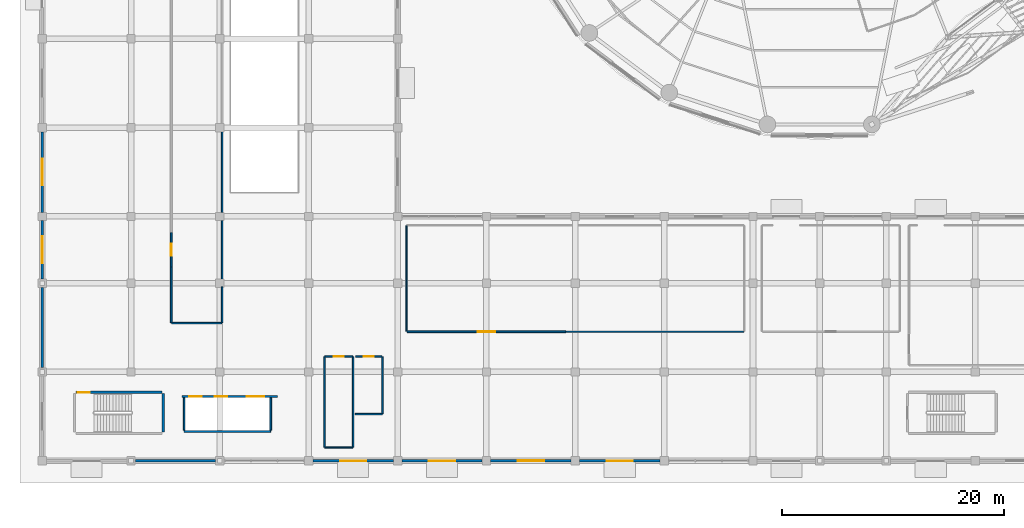
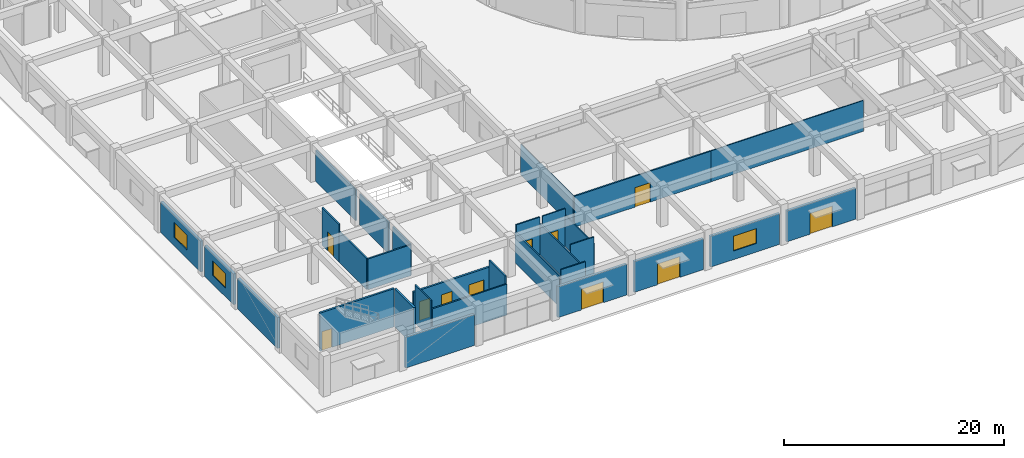
# One storey, part 26 of 40: 30 walls, 11 doors, 3 windows, 14 openings.
"""IFC4 building model written with IfcOpenShell, lengths in metres."""

from ifc_helpers import new_model, si_unit, direction, frame, frame_2d, origin, place, context, subcontext, project, spatial, rectangle, extrude, material, layer, layer_set, type_object, element, fill, save


model = new_model("IFC4")

# Units and contexts
model_context = context("Model", 3, precision=1e-05, world=origin(), true_north=direction((0.0, 1.0)))
body_context = subcontext(model_context, "Body", "Model", "MODEL_VIEW")
ifc_project = project(units=[si_unit("LENGTHUNIT", "METRE"), si_unit("AREAUNIT", "SQUARE_METRE"), si_unit("VOLUMEUNIT", "CUBIC_METRE"), si_unit("PLANEANGLEUNIT", "RADIAN"), si_unit("MASSUNIT", "GRAM", prefix="KILO")], contexts=[model_context])

# Site, building, storey
site_placement = place(None, origin())
site = spatial("IfcSite", under=ifc_project, at=site_placement, CompositionType="ELEMENT")
building_placement = place(site_placement, origin())
building = spatial("IfcBuilding", under=site, at=building_placement, Name="Kelanora Arch Commons", CompositionType="ELEMENT")
storey_placement = place(building_placement, origin())
storey = spatial("IfcBuildingStorey", under=building, at=storey_placement, Name="L00", CompositionType="ELEMENT", Elevation=0.0)

# Walls
ifc_material_1 = material(Name="Autoclaved aerated concrete blockwork with fire plaster", Category="masonry")
ifc_layer_1 = layer(ifc_material_1, 0.14990234375)
ifc_layer_set_1 = layer_set([ifc_layer_1], Name="Autoclaved aerated concrete blockwork with fire plaster")
wall_type_1 = type_object("IfcWallType", Name="W-COMP-150", PredefinedType="PARTITIONING", material=ifc_layer_set_1)
wall_1_placement = place(storey_placement, frame((16.780029296875, 6.639892578125, 0.0), z_axis=(0.0, 0.0, 1.0), x_axis=(1.0, 0.0, 0.0)))
element("IfcWall", 1, at=wall_1_placement, inside=storey, type_object=wall_type_1, Name="Market South Lift Bank Back Wall L00", PredefinedType="PARTITIONING", context=body_context, shape_type="SweptSolid", body=[
    extrude(rectangle(XDim=7.7900390625, YDim=0.14990234375, at=frame_2d((3.89501953125, 0.0))), origin(), (0.0, 0.0, 1.0), 3.425048828125),
])
for number, where, z_axis, x_axis, name in (
    (2, (16.780029296875, 6.760009765625, 0.0), (0.0, 0.0, 1.0), (0.0, 1.0, 0.0), "Market South Lift Bank West Wall L00"),
    (3, (24.570068359375, 6.760009765625, 0.0), (0.0, 0.0, 1.0), (0.0, 1.0, 0.0), "Market South Lift Bank East Wall L00"),
):
    element("IfcWall", number, at=place(storey_placement, frame(where, z_axis=z_axis, x_axis=x_axis)), inside=storey, type_object=wall_type_1, Name=name, PredefinedType="PARTITIONING", context=body_context, shape_type="SweptSolid", body=[
        extrude(rectangle(XDim=2.909912109375, YDim=0.14990234375, at=frame_2d((1.455078125, 0.0))), origin(), (0.0, 0.0, 1.0), 4.22998046875),
    ])

# Wall, opening, door
wall_2_placement = place(storey_placement, frame((36.860107421875, 15.6201171875, 0.0), z_axis=(0.0, 0.0, 1.0), x_axis=(1.0, 0.0, 0.0)))
wall_2 = element("IfcWall", 4, at=wall_2_placement, inside=storey, type_object=wall_type_1, Name="Main Civic Produce and Spice Market Hall Entry Partition", PredefinedType="PARTITIONING", context=body_context, shape_type="SweptSolid", body=[
    extrude(rectangle(XDim=14.27978515625, YDim=0.14990234375, at=frame_2d((7.139892578125, 0.0))), origin(), (0.0, 0.0, 1.0), 3.425048828125),
])
opening_1_placement = place(wall_2_placement, frame((6.340087890625, 0.0, 0.0)))
opening_1 = element("IfcOpeningElement", 5, at=opening_1_placement, cuts=wall_2, Name="Opening D-MK1", PredefinedType="OPENING", context=body_context, shape_type="SweptSolid", body=[
    extrude(rectangle(XDim=1.60009765625, YDim=2.14990234375, at=frame_2d((0.800048828125, 1.074951171875))), frame((0.0, 0.0849609375, 0.0), z_axis=(0.0, -1.0, 0.0), x_axis=(1.0, 0.0, 0.0)), (0.0, 0.0, 1.0), 0.169921875),
])
ifc_material_2 = material(Name="Glazed timber double market hall fire door", Category="wood")
door_type_1 = type_object("IfcDoorType", Name="D-MKT-160", OperationType="NOTDEFINED", PredefinedType="DOOR", material=ifc_material_2)
door_1_placement = place(opening_1_placement, origin())
door_1 = element("IfcDoor", 6, at=door_1_placement, inside=storey, type_object=door_type_1, Name="Main Civic Produce and Spice Market Hall Door", OperationType="SINGLE_SWING_RIGHT", OverallHeight=2.14990234375, OverallWidth=1.60009765625, PredefinedType="DOOR", context=body_context, shape_type="SweptSolid", body=[
    extrude(rectangle(XDim=1.60009765625, YDim=2.14990234375, at=frame_2d((0.800048828125, 1.074951171875))), frame((0.0, 0.02490234375, 0.0), z_axis=(0.0, -1.0, 0.0), x_axis=(1.0, 0.0, 0.0)), (0.0, 0.0, 1.0), 0.050048828125),
])
fill(opening_1, door_1)

wall_3_placement = place(storey_placement, frame((15.6201171875, 21.4599609375, 0.0), z_axis=(0.0, 0.0, 1.0), x_axis=(0.0, 1.0, 0.0)))
wall_3 = element("IfcWall", 7, at=wall_3_placement, inside=storey, type_object=wall_type_1, Name="Market Cold Storage and Refuse Marshalling Entry Partition", PredefinedType="PARTITIONING", context=body_context, shape_type="SweptSolid", body=[
    extrude(rectangle(XDim=3.080078125, YDim=0.14990234375, at=frame_2d((1.5400390625, 0.0))), origin(), (0.0, 0.0, 1.0), 4.18994140625),
])
opening_2_placement = place(wall_3_placement, frame((1.0, 0.0, 0.0)))
opening_2 = element("IfcOpeningElement", 8, at=opening_2_placement, cuts=wall_3, Name="Opening D-PLT1", PredefinedType="OPENING", context=body_context, shape_type="SweptSolid", body=[
    extrude(rectangle(XDim=1.080078125, YDim=2.10009765625, at=frame_2d((0.5400390625, 1.050048828125))), frame((0.0, 0.0849609375, 0.0), z_axis=(0.0, -1.0, 0.0), x_axis=(1.0, 0.0, 0.0)), (0.0, 0.0, 1.0), 0.169921875),
])
ifc_material_3 = material(Name="Galvanised steel plant and riser fire door", Category="steel")
door_type_2 = type_object("IfcDoorType", Name="D-PLT-110", OperationType="NOTDEFINED", PredefinedType="DOOR", material=ifc_material_3)
door_2_placement = place(opening_2_placement, origin())
door_2 = element("IfcDoor", 9, at=door_2_placement, inside=storey, type_object=door_type_2, Name="Market Cold Storage and Refuse Marshalling Door", OperationType="SINGLE_SWING_LEFT", OverallHeight=2.10009765625, OverallWidth=1.080078125, PredefinedType="DOOR", context=body_context, shape_type="SweptSolid", body=[
    extrude(rectangle(XDim=1.080078125, YDim=2.10009765625, at=frame_2d((0.5400390625, 1.050048828125))), frame((0.0, 0.02490234375, 0.0), z_axis=(0.0, -1.0, 0.0), x_axis=(1.0, 0.0, 0.0)), (0.0, 0.0, 1.0), 0.050048828125),
])
fill(opening_2, door_2)

# Walls
wall_4_placement = place(storey_placement, frame((15.659912109375, 16.39990234375, 0.0), z_axis=(0.0, 0.0, 1.0), x_axis=(1.0, 0.0, 0.0)))
element("IfcWall", 10, at=wall_4_placement, inside=storey, type_object=wall_type_1, Name="Market Cold Storage and Refuse Marshalling Enclosure Partition 1", PredefinedType="PARTITIONING", context=body_context, shape_type="SweptSolid", body=[
    extrude(rectangle(XDim=4.5, YDim=0.14990234375, at=frame_2d((2.25, 0.0))), origin(), (0.0, 0.0, 1.0), 3.425048828125),
])
wall_5_placement = place(storey_placement, frame((20.199951171875, 16.43994140625, 0.0), z_axis=(0.0, 0.0, 1.0), x_axis=(0.0, 1.0, 0.0)))
element("IfcWall", 11, at=wall_5_placement, inside=storey, type_object=wall_type_1, Name="Market Cold Storage and Refuse Marshalling Enclosure Partition 2", PredefinedType="PARTITIONING", context=body_context, shape_type="SweptSolid", body=[
    extrude(rectangle(XDim=3.213623046875, YDim=0.14990234375, at=frame_2d((1.60693359375, 0.0))), origin(), (0.0, 0.0, 1.0), 3.425048828125),
])
wall_6_placement = place(storey_placement, frame((20.199951171875, 20.346435546875, 0.0), z_axis=(0.0, 0.0, 1.0), x_axis=(0.0, 1.0, 0.0)))
element("IfcWall", 12, at=wall_6_placement, inside=storey, type_object=wall_type_1, Name="Market Cold Storage and Refuse Marshalling Enclosure Partition 2", PredefinedType="PARTITIONING", context=body_context, shape_type="SweptSolid", body=[
    extrude(rectangle(XDim=5.30712890625, YDim=0.14990234375, at=frame_2d((2.653564453125, 0.0))), origin(), (0.0, 0.0, 1.0), 3.425048828125),
])
wall_7_placement = place(storey_placement, frame((20.199951171875, 26.346435546875, 0.0), z_axis=(0.0, 0.0, 1.0), x_axis=(0.0, 1.0, 0.0)))
element("IfcWall", 13, at=wall_7_placement, inside=storey, type_object=wall_type_1, Name="Market Cold Storage and Refuse Marshalling Enclosure Partition 2", PredefinedType="PARTITIONING", context=body_context, shape_type="SweptSolid", body=[
    extrude(rectangle(XDim=7.30712890625, YDim=0.14990234375, at=frame_2d((3.653564453125, 0.0))), origin(), (0.0, 0.0, 1.0), 3.425048828125),
])
wall_8_placement = place(storey_placement, frame((15.6201171875, 21.4599609375, 0.0), z_axis=(0.0, 0.0, 1.0), x_axis=(0.0, -1.0, 0.0)))
element("IfcWall", 14, at=wall_8_placement, inside=storey, type_object=wall_type_1, Name="Market Cold Storage and Refuse Marshalling Enclosure Partition 4", PredefinedType="PARTITIONING", context=body_context, shape_type="SweptSolid", body=[
    extrude(rectangle(XDim=5.02001953125, YDim=0.14990234375, at=frame_2d((2.510009765625, 0.0))), origin(), (0.0, 0.0, 1.0), 3.425048828125),
])
ifc_material_4 = material(Name="Precast concrete C40/50 with terracotta ceramic cladding", Category="masonry")
ifc_layer_2 = layer(ifc_material_4, 0.25)
ifc_layer_set_2 = layer_set([ifc_layer_2], Name="Precast concrete C40/50 with terracotta ceramic cladding")
wall_type_2 = type_object("IfcWallType", Name="W-EXT-MKT", PredefinedType="SOLIDWALL", material=ifc_layer_set_2)
wall_9_placement = place(storey_placement, frame((12.3798828125, 4.0, 0.0), z_axis=(0.0, 0.0, 1.0), x_axis=(1.0, 0.0, 0.0)))
element("IfcWall", 15, at=wall_9_placement, inside=storey, type_object=wall_type_2, Name="Market Hall Exterior Wall L00-01", PredefinedType="SOLIDWALL", context=body_context, shape_type="SweptSolid", body=[
    extrude(rectangle(XDim=7.240234375, YDim=0.25, at=frame_2d((3.6201171875, 0.0))), origin(), (0.0, 0.0, 1.0), 3.419921875),
])

# Wall, opening, door
wall_10_placement = place(storey_placement, frame((28.3798828125, 4.0, 0.0), z_axis=(0.0, 0.0, 1.0), x_axis=(1.0, 0.0, 0.0)))
wall_10 = element("IfcWall", 16, at=wall_10_placement, inside=storey, type_object=wall_type_2, Name="Market Hall Exterior Wall L00-03", PredefinedType="SOLIDWALL", context=body_context, shape_type="SweptSolid", body=[
    extrude(rectangle(XDim=7.240234375, YDim=0.25, at=frame_2d((3.6201171875, 0.0))), origin(), (0.0, 0.0, 1.0), 3.419921875),
])
opening_3_placement = place(wall_10_placement, frame((2.445068359375, 0.0, 0.0)))
opening_3 = element("IfcOpeningElement", 17, at=opening_3_placement, cuts=wall_10, Name="Opening DX-02", PredefinedType="OPENING", context=body_context, shape_type="SweptSolid", body=[
    extrude(rectangle(XDim=2.35009765625, YDim=2.300048828125, at=frame_2d((1.175048828125, 1.14990234375))), frame((0.0, 0.135009765625, 0.0), z_axis=(0.0, -1.0, 0.0), x_axis=(1.0, 0.0, 0.0)), (0.0, 0.0, 1.0), 0.27001953125),
])
ifc_material_5 = material(Name="Powder-coated aluminium glazed double escape door", Category="aluminium")
door_type_3 = type_object("IfcDoorType", Name="D-EXIT-20", OperationType="NOTDEFINED", PredefinedType="DOOR", material=ifc_material_5)
door_3_placement = place(opening_3_placement, frame((2.35009765625, 0.0, 0.0), z_axis=(0.0, 0.0, 1.0), x_axis=(-1.0, 0.0, 0.0)))
door_3 = element("IfcDoor", 18, at=door_3_placement, inside=storey, type_object=door_type_3, Name="Market Hall Pedestrian Exit Door 03", OperationType="DOUBLE_DOOR_SINGLE_SWING", OverallHeight=2.300048828125, OverallWidth=2.35009765625, PredefinedType="DOOR", context=body_context, shape_type="SweptSolid", body=[
    extrude(rectangle(XDim=2.35009765625, YDim=2.300048828125, at=frame_2d((1.175048828125, 1.14990234375))), frame((0.0, 0.02490234375, 0.0), z_axis=(0.0, -1.0, 0.0), x_axis=(1.0, 0.0, 0.0)), (0.0, 0.0, 1.0), 0.050048828125),
])
fill(opening_3, door_3)

wall_11_placement = place(storey_placement, frame((36.3798828125, 4.0, 0.0), z_axis=(0.0, 0.0, 1.0), x_axis=(1.0, 0.0, 0.0)))
wall_11 = element("IfcWall", 19, at=wall_11_placement, inside=storey, type_object=wall_type_2, Name="Market Hall Exterior Wall L00-04", PredefinedType="SOLIDWALL", context=body_context, shape_type="SweptSolid", body=[
    extrude(rectangle(XDim=7.240234375, YDim=0.25, at=frame_2d((3.6201171875, 0.0))), origin(), (0.0, 0.0, 1.0), 3.419921875),
])
opening_4_placement = place(wall_11_placement, frame((2.445068359375, 0.0, 0.0)))
opening_4 = element("IfcOpeningElement", 20, at=opening_4_placement, cuts=wall_11, Name="Opening DX-02", PredefinedType="OPENING", context=body_context, shape_type="SweptSolid", body=[
    extrude(rectangle(XDim=2.35009765625, YDim=2.300048828125, at=frame_2d((1.175048828125, 1.14990234375))), frame((0.0, 0.135009765625, 0.0), z_axis=(0.0, -1.0, 0.0), x_axis=(1.0, 0.0, 0.0)), (0.0, 0.0, 1.0), 0.27001953125),
])
door_4_placement = place(opening_4_placement, frame((2.35009765625, 0.0, 0.0), z_axis=(0.0, 0.0, 1.0), x_axis=(-1.0, 0.0, 0.0)))
door_4 = element("IfcDoor", 21, at=door_4_placement, inside=storey, type_object=door_type_3, Name="Market Hall Pedestrian Exit Door 04", OperationType="DOUBLE_DOOR_SINGLE_SWING", OverallHeight=2.300048828125, OverallWidth=2.35009765625, PredefinedType="DOOR", context=body_context, shape_type="SweptSolid", body=[
    extrude(rectangle(XDim=2.35009765625, YDim=2.300048828125, at=frame_2d((1.175048828125, 1.14990234375))), frame((0.0, 0.02490234375, 0.0), z_axis=(0.0, -1.0, 0.0), x_axis=(1.0, 0.0, 0.0)), (0.0, 0.0, 1.0), 0.050048828125),
])
fill(opening_4, door_4)

# Wall, opening, window
wall_12_placement = place(storey_placement, frame((44.3798828125, 4.0, 0.0), z_axis=(0.0, 0.0, 1.0), x_axis=(1.0, 0.0, 0.0)))
wall_12 = element("IfcWall", 22, at=wall_12_placement, inside=storey, type_object=wall_type_2, Name="Market Hall Exterior Wall L00-05", PredefinedType="SOLIDWALL", context=body_context, shape_type="SweptSolid", body=[
    extrude(rectangle(XDim=7.240234375, YDim=0.25, at=frame_2d((3.6201171875, 0.0))), origin(), (0.0, 0.0, 1.0), 3.419921875),
])
opening_5_placement = place(wall_12_placement, frame((2.419921875, 0.0, 0.949951171875)))
opening_5 = element("IfcOpeningElement", 23, at=opening_5_placement, cuts=wall_12, Name="Opening WN-03", PredefinedType="OPENING", context=body_context, shape_type="SweptSolid", body=[
    extrude(rectangle(XDim=2.39990234375, YDim=1.64990234375, at=frame_2d((1.199951171875, 0.824951171875))), frame((0.0, 0.135009765625, 0.0), z_axis=(0.0, -1.0, 0.0), x_axis=(1.0, 0.0, 0.0)), (0.0, 0.0, 1.0), 0.27001953125),
])
ifc_material_6 = material(Name="Bronze-terracotta aluminium monsoon clerestory window", Category="masonry")
window_type = type_object("IfcWindowType", Name="WIN-MKT-24", PartitioningType="TRIPLE_PANEL_VERTICAL", PredefinedType="WINDOW", material=ifc_material_6)
window_1_placement = place(opening_5_placement, origin())
window_1 = element("IfcWindow", 24, at=window_1_placement, inside=storey, type_object=window_type, Name="Market Hall Clerestory Window L00-05", OverallHeight=1.64990234375, OverallWidth=2.39990234375, PartitioningType="SINGLE_PANEL", PredefinedType="WINDOW", context=body_context, shape_type="SweptSolid", body=[
    extrude(rectangle(XDim=2.39990234375, YDim=1.64990234375, at=frame_2d((1.199951171875, 0.824951171875))), frame((0.0, 0.030029296875, 0.0), z_axis=(0.0, -1.0, 0.0), x_axis=(1.0, 0.0, 0.0)), (0.0, 0.0, 1.0), 0.06005859375),
])
fill(opening_5, window_1)

# Wall, opening, door
wall_13_placement = place(storey_placement, frame((52.3798828125, 4.0, 0.0), z_axis=(0.0, 0.0, 1.0), x_axis=(1.0, 0.0, 0.0)))
wall_13 = element("IfcWall", 25, at=wall_13_placement, inside=storey, type_object=wall_type_2, Name="Market Hall Exterior Wall L00-06", PredefinedType="SOLIDWALL", context=body_context, shape_type="SweptSolid", body=[
    extrude(rectangle(XDim=7.240234375, YDim=0.25, at=frame_2d((3.6201171875, 0.0))), origin(), (0.0, 0.0, 1.0), 3.419921875),
])
opening_6_placement = place(wall_13_placement, frame((2.445068359375, 0.0, 0.0)))
opening_6 = element("IfcOpeningElement", 26, at=opening_6_placement, cuts=wall_13, Name="Opening DX-02", PredefinedType="OPENING", context=body_context, shape_type="SweptSolid", body=[
    extrude(rectangle(XDim=2.35009765625, YDim=2.300048828125, at=frame_2d((1.175048828125, 1.14990234375))), frame((0.0, 0.135009765625, 0.0), z_axis=(0.0, -1.0, 0.0), x_axis=(1.0, 0.0, 0.0)), (0.0, 0.0, 1.0), 0.27001953125),
])
door_5_placement = place(opening_6_placement, frame((2.35009765625, 0.0, 0.0), z_axis=(0.0, 0.0, 1.0), x_axis=(-1.0, 0.0, 0.0)))
door_5 = element("IfcDoor", 27, at=door_5_placement, inside=storey, type_object=door_type_3, Name="Market Hall Pedestrian Exit Door 06", OperationType="DOUBLE_DOOR_SINGLE_SWING", OverallHeight=2.300048828125, OverallWidth=2.35009765625, PredefinedType="DOOR", context=body_context, shape_type="SweptSolid", body=[
    extrude(rectangle(XDim=2.35009765625, YDim=2.300048828125, at=frame_2d((1.175048828125, 1.14990234375))), frame((0.0, 0.02490234375, 0.0), z_axis=(0.0, -1.0, 0.0), x_axis=(1.0, 0.0, 0.0)), (0.0, 0.0, 1.0), 0.050048828125),
])
fill(opening_6, door_5)

# Wall, opening, window
wall_14_placement = place(storey_placement, frame((4.0, 33.6201171875, 0.0), z_axis=(0.0, 0.0, 1.0), x_axis=(0.0, -1.0, 0.0)))
wall_14 = element("IfcWall", 28, at=wall_14_placement, inside=storey, type_object=wall_type_2, Name="Market Hall Exterior Wall L00-40", PredefinedType="SOLIDWALL", context=body_context, shape_type="SweptSolid", body=[
    extrude(rectangle(XDim=7.240234375, YDim=0.25, at=frame_2d((3.6201171875, 0.0))), origin(), (0.0, 0.0, 1.0), 3.419921875),
])
opening_7_placement = place(wall_14_placement, frame((2.419921875, 0.0, 0.949951171875)))
opening_7 = element("IfcOpeningElement", 29, at=opening_7_placement, cuts=wall_14, Name="Opening WN-03", PredefinedType="OPENING", context=body_context, shape_type="SweptSolid", body=[
    extrude(rectangle(XDim=2.39990234375, YDim=1.64990234375, at=frame_2d((1.199951171875, 0.824951171875))), frame((0.0, 0.135009765625, 0.0), z_axis=(0.0, -1.0, 0.0), x_axis=(1.0, 0.0, 0.0)), (0.0, 0.0, 1.0), 0.27001953125),
])
window_2_placement = place(opening_7_placement, origin())
window_2 = element("IfcWindow", 30, at=window_2_placement, inside=storey, type_object=window_type, Name="Market Hall Clerestory Window L00-40", OverallHeight=1.64990234375, OverallWidth=2.39990234375, PartitioningType="SINGLE_PANEL", PredefinedType="WINDOW", context=body_context, shape_type="SweptSolid", body=[
    extrude(rectangle(XDim=2.39990234375, YDim=1.64990234375, at=frame_2d((1.199951171875, 0.824951171875))), frame((0.0, 0.030029296875, 0.0), z_axis=(0.0, -1.0, 0.0), x_axis=(1.0, 0.0, 0.0)), (0.0, 0.0, 1.0), 0.06005859375),
])
fill(opening_7, window_2)

wall_15_placement = place(storey_placement, frame((4.0, 25.6201171875, 0.0), z_axis=(0.0, 0.0, 1.0), x_axis=(0.0, -1.0, 0.0)))
wall_15 = element("IfcWall", 31, at=wall_15_placement, inside=storey, type_object=wall_type_2, Name="Market Hall Exterior Wall L00-41", PredefinedType="SOLIDWALL", context=body_context, shape_type="SweptSolid", body=[
    extrude(rectangle(XDim=5.240234375, YDim=0.25, at=frame_2d((2.6201171875, 0.0))), origin(), (0.0, 0.0, 1.0), 3.419921875),
])
opening_8_placement = place(wall_15_placement, frame((1.419921875, 0.0, 0.949951171875)))
opening_8 = element("IfcOpeningElement", 32, at=opening_8_placement, cuts=wall_15, Name="Opening WN-03", PredefinedType="OPENING", context=body_context, shape_type="SweptSolid", body=[
    extrude(rectangle(XDim=2.39990234375, YDim=1.64990234375, at=frame_2d((1.199951171875, 0.824951171875))), frame((0.0, 0.135009765625, 0.0), z_axis=(0.0, -1.0, 0.0), x_axis=(1.0, 0.0, 0.0)), (0.0, 0.0, 1.0), 0.27001953125),
])
window_3_placement = place(opening_8_placement, origin())
window_3 = element("IfcWindow", 33, at=window_3_placement, inside=storey, type_object=window_type, Name="Market Hall Clerestory Window L00-41", OverallHeight=1.64990234375, OverallWidth=2.39990234375, PartitioningType="SINGLE_PANEL", PredefinedType="WINDOW", context=body_context, shape_type="SweptSolid", body=[
    extrude(rectangle(XDim=2.39990234375, YDim=1.64990234375, at=frame_2d((1.199951171875, 0.824951171875))), frame((0.0, 0.030029296875, 0.0), z_axis=(0.0, -1.0, 0.0), x_axis=(1.0, 0.0, 0.0)), (0.0, 0.0, 1.0), 0.06005859375),
])
fill(opening_8, window_3)

# Wall
wall_16_placement = place(storey_placement, frame((4.0, 19.6201171875, 0.0), z_axis=(0.0, 0.0, 1.0), x_axis=(0.0, -1.0, 0.0)))
element("IfcWall", 34, at=wall_16_placement, inside=storey, type_object=wall_type_2, Name="Market Hall Exterior Wall L00-42", PredefinedType="SOLIDWALL", context=body_context, shape_type="SweptSolid", body=[
    extrude(rectangle(XDim=7.240234375, YDim=0.25, at=frame_2d((3.6201171875, 0.0))), origin(), (0.0, 0.0, 1.0), 3.419921875),
])

# Wall, openings, doors
ifc_material_7 = material(Name="Concrete C40/50", Category="concrete")
ifc_layer_3 = layer(ifc_material_7, 0.199951171875)
ifc_layer_set_3 = layer_set([ifc_layer_3], Name="Concrete C40/50")
wall_type_3 = type_object("IfcWallType", Name="W-FFL-200", PredefinedType="SOLIDWALL", material=ifc_layer_set_3)
wall_17_placement = place(storey_placement, frame((16.60009765625, 9.800048828125, 0.0), z_axis=(0.0, 0.0, 1.0), x_axis=(1.0, 0.0, 0.0)))
wall_17 = element("IfcWall", 35, at=wall_17_placement, inside=storey, type_object=wall_type_3, Name="Market South Lift Shaft Front L00", PredefinedType="SOLIDWALL", context=body_context, shape_type="SweptSolid", body=[
    extrude(rectangle(XDim=8.599853515625, YDim=0.199951171875, at=frame_2d((4.2998046875, 0.0))), origin(), (0.0, 0.0, 1.0), 3.425048828125),
])
opening_9_placement = place(wall_17_placement, frame((0.64990234375, 0.0, 0.0)))
opening_9 = element("IfcOpeningElement", 36, at=opening_9_placement, cuts=wall_17, Name="Opening LD-01", PredefinedType="OPENING", context=body_context, shape_type="SweptSolid", body=[
    extrude(rectangle(XDim=1.10009765625, YDim=2.10009765625, at=frame_2d((0.550048828125, 1.050048828125))), frame((0.0, 0.10986328125, 0.0), z_axis=(0.0, -1.0, 0.0), x_axis=(1.0, 0.0, 0.0)), (0.0, 0.0, 1.0), 0.219970703125),
])
opening_10_placement = place(wall_17_placement, frame((2.949951171875, 0.0, 0.0)))
opening_10 = element("IfcOpeningElement", 37, at=opening_10_placement, cuts=wall_17, Name="Opening LD-01", PredefinedType="OPENING", context=body_context, shape_type="SweptSolid", body=[
    extrude(rectangle(XDim=1.10009765625, YDim=2.10009765625, at=frame_2d((0.550048828125, 1.050048828125))), frame((0.0, 0.10986328125, 0.0), z_axis=(0.0, -1.0, 0.0), x_axis=(1.0, 0.0, 0.0)), (0.0, 0.0, 1.0), 0.219970703125),
])
opening_11_placement = place(wall_17_placement, frame((5.824951171875, 0.0, 0.0)))
opening_11 = element("IfcOpeningElement", 38, at=opening_11_placement, cuts=wall_17, Name="Opening LD-GD", PredefinedType="OPENING", context=body_context, shape_type="SweptSolid", body=[
    extrude(rectangle(XDim=1.550048828125, YDim=2.199951171875, at=frame_2d((0.77490234375, 1.10009765625))), frame((0.0, 0.10986328125, 0.0), z_axis=(0.0, -1.0, 0.0), x_axis=(1.0, 0.0, 0.0)), (0.0, 0.0, 1.0), 0.219970703125),
])
ifc_material_8 = material(Name="Stainless steel passenger lift sliding landing door", Category="steel")
door_type_4 = type_object("IfcDoorType", Name="D-LIFT-110", OperationType="NOTDEFINED", PredefinedType="DOOR", material=ifc_material_8)
door_6_placement = place(opening_9_placement, origin())
door_6 = element("IfcDoor", 39, at=door_6_placement, inside=storey, type_object=door_type_4, Name="Market Lift LF-MP1 Landing Door L00", OperationType="DOUBLE_DOOR_SLIDING", OverallHeight=2.10009765625, OverallWidth=1.10009765625, PredefinedType="DOOR", context=body_context, shape_type="SweptSolid", body=[
    extrude(rectangle(XDim=1.10009765625, YDim=2.10009765625, at=frame_2d((0.550048828125, 1.050048828125))), frame((0.0, 0.02490234375, 0.0), z_axis=(0.0, -1.0, 0.0), x_axis=(1.0, 0.0, 0.0)), (0.0, 0.0, 1.0), 0.050048828125),
])
fill(opening_9, door_6)
door_7_placement = place(opening_10_placement, origin())
door_7 = element("IfcDoor", 40, at=door_7_placement, inside=storey, type_object=door_type_4, Name="Market Lift LF-MP2 Landing Door L00", OperationType="DOUBLE_DOOR_SLIDING", OverallHeight=2.10009765625, OverallWidth=1.10009765625, PredefinedType="DOOR", context=body_context, shape_type="SweptSolid", body=[
    extrude(rectangle(XDim=1.10009765625, YDim=2.10009765625, at=frame_2d((0.550048828125, 1.050048828125))), frame((0.0, 0.02490234375, 0.0), z_axis=(0.0, -1.0, 0.0), x_axis=(1.0, 0.0, 0.0)), (0.0, 0.0, 1.0), 0.050048828125),
])
fill(opening_10, door_7)
ifc_material_9 = material(Name="Heavy-duty goods lift bi-parting sliding landing door")
door_type_5 = type_object("IfcDoorType", Name="D-LIFT-GDS", OperationType="NOTDEFINED", PredefinedType="DOOR", material=ifc_material_9)
door_8_placement = place(opening_11_placement, origin())
door_8 = element("IfcDoor", 41, at=door_8_placement, inside=storey, type_object=door_type_5, Name="Market Lift LF-MG1 Landing Door L00", OperationType="DOUBLE_DOOR_SLIDING", OverallHeight=2.199951171875, OverallWidth=1.550048828125, PredefinedType="DOOR", context=body_context, shape_type="SweptSolid", body=[
    extrude(rectangle(XDim=1.550048828125, YDim=2.199951171875, at=frame_2d((0.77490234375, 1.10009765625))), frame((0.0, 0.02490234375, 0.0), z_axis=(0.0, -1.0, 0.0), x_axis=(1.0, 0.0, 0.0)), (0.0, 0.0, 1.0), 0.050048828125),
])
fill(opening_11, door_8)

# Walls
ifc_material_10 = material(Name="Lightweight fire-rated acoustic stud partition")
ifc_layer_4 = layer(ifc_material_10, 0.10009765625)
ifc_layer_set_4 = layer_set([ifc_layer_4], Name="Lightweight fire-rated acoustic stud partition")
wall_type_4 = type_object("IfcWallType", Name="W-PART-100", PredefinedType="PARTITIONING", material=ifc_layer_set_4)
wall_18_placement = place(storey_placement, frame((51.139892578125, 15.6201171875, 0.0), z_axis=(0.0, 0.0, 1.0), x_axis=(1.0, 0.0, 0.0)))
element("IfcWall", 42, at=wall_18_placement, inside=storey, type_object=wall_type_4, Name="Main Civic Produce and Spice Market Hall Enclosure Partition 1", PredefinedType="PARTITIONING", context=body_context, shape_type="SweptSolid", body=[
    extrude(rectangle(XDim=16.02001953125, YDim=0.10009765625, at=frame_2d((8.010009765625, 0.0))), origin(), (0.0, 0.0, 1.0), 3.425048828125),
])
wall_19_placement = place(storey_placement, frame((36.800048828125, 25.159912109375, 0.0), z_axis=(0.0, 0.0, 1.0), x_axis=(0.0, -1.0, 0.0)))
element("IfcWall", 43, at=wall_19_placement, inside=storey, type_object=wall_type_4, Name="Main Civic Produce and Spice Market Hall Enclosure Partition 4", PredefinedType="PARTITIONING", context=body_context, shape_type="SweptSolid", body=[
    extrude(rectangle(XDim=9.5, YDim=0.10009765625, at=frame_2d((4.75, 0.0))), origin(), (0.0, 0.0, 1.0), 3.425048828125),
])
ifc_layer_5 = layer(ifc_material_7, 0.199951171875)
ifc_layer_set_5 = layer_set([ifc_layer_5], Name="Concrete C40/50")
wall_type_5 = type_object("IfcWallType", Name="W-STAIR-200", PredefinedType="SHEAR", material=ifc_layer_set_5)
wall_20_placement = place(storey_placement, frame((14.89990234375, 6.580078125, 0.0), z_axis=(0.0, 0.0, 1.0), x_axis=(0.0, 1.0, 0.0)))
element("IfcWall", 44, at=wall_20_placement, inside=storey, type_object=wall_type_5, Name="Stair ST-M1 Shaft Wall E L00", PredefinedType="SHEAR", context=body_context, shape_type="SweptSolid", body=[
    extrude(rectangle(XDim=3.469970703125, YDim=0.199951171875, at=frame_2d((1.73486328125, 0.0))), origin(), (0.0, 0.0, 1.0), 4.239990234375),
])

# Wall, opening, door
wall_21_placement = place(storey_placement, frame((14.780029296875, 10.169921875, 0.0), z_axis=(0.0, 0.0, 1.0), x_axis=(-1.0, 0.0, 0.0)))
wall_21 = element("IfcWall", 45, at=wall_21_placement, inside=storey, type_object=wall_type_5, Name="Stair ST-M1 Shaft Wall N L00", PredefinedType="SHEAR", context=body_context, shape_type="SweptSolid", body=[
    extrude(rectangle(XDim=7.760009765625, YDim=0.199951171875, at=frame_2d((3.8798828125, 0.0))), origin(), (0.0, 0.0, 1.0), 4.239990234375),
])
opening_12_placement = place(wall_21_placement, frame((6.510009765625, 0.0, 0.0)))
opening_12 = element("IfcOpeningElement", 46, at=opening_12_placement, cuts=wall_21, Name="Opening D-ST1", PredefinedType="OPENING", context=body_context, shape_type="SweptSolid", body=[
    extrude(rectangle(XDim=1.050048828125, YDim=2.10009765625, at=frame_2d((0.52490234375, 1.050048828125))), frame((0.0, 0.10986328125, 0.0), z_axis=(0.0, -1.0, 0.0), x_axis=(1.0, 0.0, 0.0)), (0.0, 0.0, 1.0), 0.219970703125),
])
ifc_material_11 = material(Name="Steel fire-rated stairwell escape door", Category="steel")
door_type_6 = type_object("IfcDoorType", Name="D-STAIR-110", OperationType="NOTDEFINED", PredefinedType="DOOR", material=ifc_material_11)
door_9_placement = place(opening_12_placement, origin())
door_9 = element("IfcDoor", 47, at=door_9_placement, inside=storey, type_object=door_type_6, Name="Stair ST-M1 Escape Door L00", OperationType="SINGLE_SWING_RIGHT", OverallHeight=2.10009765625, OverallWidth=1.050048828125, PredefinedType="DOOR", context=body_context, shape_type="SweptSolid", body=[
    extrude(rectangle(XDim=1.050048828125, YDim=2.10009765625, at=frame_2d((0.52490234375, 1.050048828125))), frame((0.0, 0.02490234375, 0.0), z_axis=(0.0, -1.0, 0.0), x_axis=(1.0, 0.0, 0.0)), (0.0, 0.0, 1.0), 0.050048828125),
])
fill(opening_12, door_9)

ifc_material_12 = material(Name="Moisture-resistant fire-rated cement-board plumbing wall")
ifc_layer_6 = layer(ifc_material_12, 0.1298828125)
ifc_layer_set_6 = layer_set([ifc_layer_6], Name="Moisture-resistant fire-rated cement-board plumbing wall")
wall_type_6 = type_object("IfcWallType", Name="W-WET-120", PredefinedType="PLUMBINGWALL", material=ifc_layer_set_6)
wall_22_placement = place(storey_placement, frame((29.4599609375, 13.3798828125, 0.0), z_axis=(0.0, 0.0, 1.0), x_axis=(1.0, 0.0, 0.0)))
wall_22 = element("IfcWall", 48, at=wall_22_placement, inside=storey, type_object=wall_type_6, Name="Market Public Toilets L00 Entry Partition", PredefinedType="PLUMBINGWALL", context=body_context, shape_type="SweptSolid", body=[
    extrude(rectangle(XDim=2.47998046875, YDim=0.1298828125, at=frame_2d((1.239990234375, 0.0))), origin(), (0.0, 0.0, 1.0), 4.18994140625),
])
opening_13_placement = place(wall_22_placement, frame((0.81005859375, 0.0, 0.0)))
opening_13 = element("IfcOpeningElement", 49, at=opening_13_placement, cuts=wall_22, Name="Opening D-BT1", PredefinedType="OPENING", context=body_context, shape_type="SweptSolid", body=[
    extrude(rectangle(XDim=0.860107421875, YDim=2.050048828125, at=frame_2d((0.43017578125, 1.02490234375))), frame((0.0, 0.074951171875, 0.0), z_axis=(0.0, -1.0, 0.0), x_axis=(1.0, 0.0, 0.0)), (0.0, 0.0, 1.0), 0.14990234375),
])
ifc_material_13 = material(Name="Moisture-sealed fire-rated accessible bathroom door")
door_type_7 = type_object("IfcDoorType", Name="D-BATH-85", OperationType="NOTDEFINED", PredefinedType="DOOR", material=ifc_material_13)
door_10_placement = place(opening_13_placement, origin())
door_10 = element("IfcDoor", 50, at=door_10_placement, inside=storey, type_object=door_type_7, Name="Market Public Toilets L00 Door", OperationType="SINGLE_SWING_RIGHT", OverallHeight=2.050048828125, OverallWidth=0.860107421875, PredefinedType="DOOR", context=body_context, shape_type="SweptSolid", body=[
    extrude(rectangle(XDim=0.860107421875, YDim=2.050048828125, at=frame_2d((0.43017578125, 1.02490234375))), frame((0.0, 0.02490234375, 0.0), z_axis=(0.0, -1.0, 0.0), x_axis=(1.0, 0.0, 0.0)), (0.0, 0.0, 1.0), 0.050048828125),
])
fill(opening_13, door_10)

wall_23_placement = place(storey_placement, frame((32.2099609375, 13.3798828125, 0.0), z_axis=(0.0, 0.0, 1.0), x_axis=(1.0, 0.0, 0.0)))
wall_23 = element("IfcWall", 51, at=wall_23_placement, inside=storey, type_object=wall_type_6, Name="Market Accessible WC L00 Entry Partition", PredefinedType="PLUMBINGWALL", context=body_context, shape_type="SweptSolid", body=[
    extrude(rectangle(XDim=2.380126953125, YDim=0.1298828125, at=frame_2d((1.18994140625, 0.0))), origin(), (0.0, 0.0, 1.0), 4.18994140625),
])
opening_14_placement = place(wall_23_placement, frame((0.760009765625, 0.0, 0.0)))
opening_14 = element("IfcOpeningElement", 52, at=opening_14_placement, cuts=wall_23, Name="Opening D-BT1", PredefinedType="OPENING", context=body_context, shape_type="SweptSolid", body=[
    extrude(rectangle(XDim=0.860107421875, YDim=2.050048828125, at=frame_2d((0.43017578125, 1.02490234375))), frame((0.0, 0.074951171875, 0.0), z_axis=(0.0, -1.0, 0.0), x_axis=(1.0, 0.0, 0.0)), (0.0, 0.0, 1.0), 0.14990234375),
])
door_11_placement = place(opening_14_placement, origin())
door_11 = element("IfcDoor", 53, at=door_11_placement, inside=storey, type_object=door_type_7, Name="Market Accessible WC L00 Door", OperationType="SINGLE_SWING_LEFT", OverallHeight=2.050048828125, OverallWidth=0.860107421875, PredefinedType="DOOR", context=body_context, shape_type="SweptSolid", body=[
    extrude(rectangle(XDim=0.860107421875, YDim=2.050048828125, at=frame_2d((0.43017578125, 1.02490234375))), frame((0.0, 0.02490234375, 0.0), z_axis=(0.0, -1.0, 0.0), x_axis=(1.0, 0.0, 0.0)), (0.0, 0.0, 1.0), 0.050048828125),
])
fill(opening_14, door_11)

# Walls
wall_24_placement = place(storey_placement, frame((29.419921875, 5.199951171875, 0.0), z_axis=(0.0, 0.0, 1.0), x_axis=(1.0, 0.0, 0.0)))
element("IfcWall", 54, at=wall_24_placement, inside=storey, type_object=wall_type_6, Name="Market Public Toilets L00 Enclosure Partition 1", PredefinedType="PLUMBINGWALL", context=body_context, shape_type="SweptSolid", body=[
    extrude(rectangle(XDim=2.56005859375, YDim=0.1298828125, at=frame_2d((1.280029296875, 0.0))), origin(), (0.0, 0.0, 1.0), 4.18994140625),
])
for number, where, z_axis, x_axis, name in (
    (55, (32.0, 5.219970703125, 0.0), (0.0, 0.0, 1.0), (0.0, 1.0, 0.0), "Market Public Toilets L00 Enclosure Partition 2"),
    (56, (29.39990234375, 13.360107421875, 0.0), (0.0, 0.0, 1.0), (0.0, -1.0, 0.0), "Market Public Toilets L00 Enclosure Partition 4"),
):
    element("IfcWall", number, at=place(storey_placement, frame(where, z_axis=z_axis, x_axis=x_axis)), inside=storey, type_object=wall_type_6, Name=name, PredefinedType="PLUMBINGWALL", context=body_context, shape_type="SweptSolid", body=[
        extrude(rectangle(XDim=8.14013671875, YDim=0.1298828125, at=frame_2d((4.070068359375, 0.0))), origin(), (0.0, 0.0, 1.0), 3.425048828125),
    ])
wall_25_placement = place(storey_placement, frame((32.169921875, 8.199951171875, 0.0), z_axis=(0.0, 0.0, 1.0), x_axis=(1.0, 0.0, 0.0)))
element("IfcWall", 57, at=wall_25_placement, inside=storey, type_object=wall_type_6, Name="Market Accessible WC L00 Enclosure Partition 1", PredefinedType="PLUMBINGWALL", context=body_context, shape_type="SweptSolid", body=[
    extrude(rectangle(XDim=2.4599609375, YDim=0.1298828125, at=frame_2d((1.22998046875, 0.0))), origin(), (0.0, 0.0, 1.0), 4.18994140625),
])
wall_26_placement = place(storey_placement, frame((34.64990234375, 8.219970703125, 0.0), z_axis=(0.0, 0.0, 1.0), x_axis=(0.0, 1.0, 0.0)))
element("IfcWall", 58, at=wall_26_placement, inside=storey, type_object=wall_type_6, Name="Market Accessible WC L00 Enclosure Partition 2", PredefinedType="PLUMBINGWALL", context=body_context, shape_type="SweptSolid", body=[
    extrude(rectangle(XDim=5.14013671875, YDim=0.1298828125, at=frame_2d((2.570068359375, 0.0))), origin(), (0.0, 0.0, 1.0), 3.425048828125),
])

save(model, "model.ifc")
